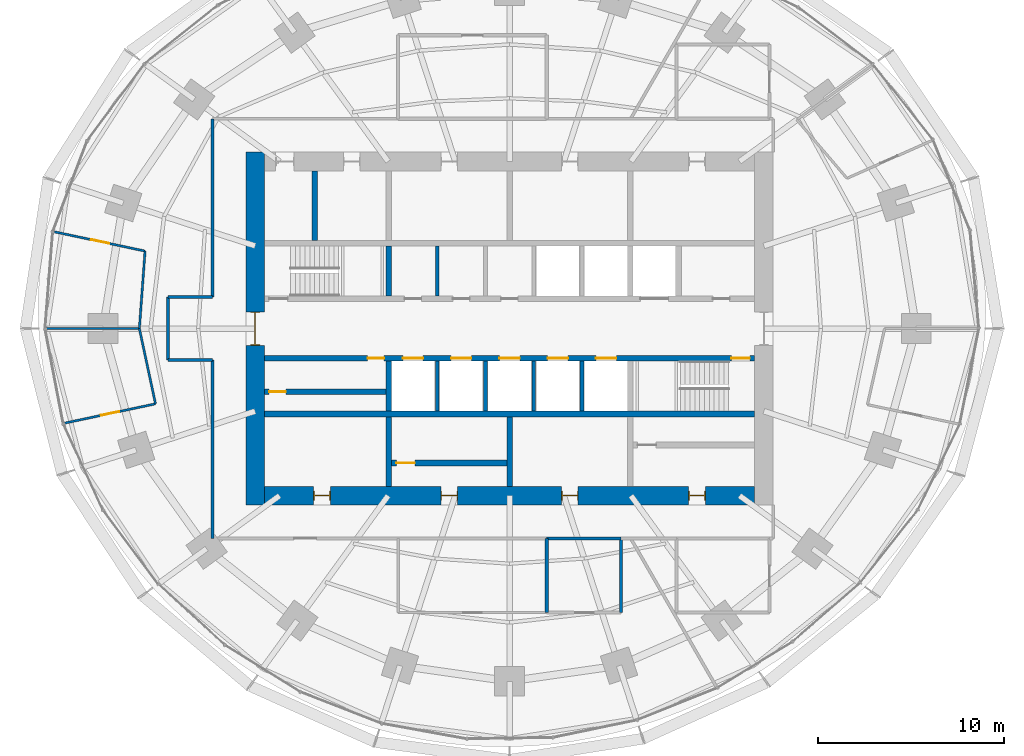
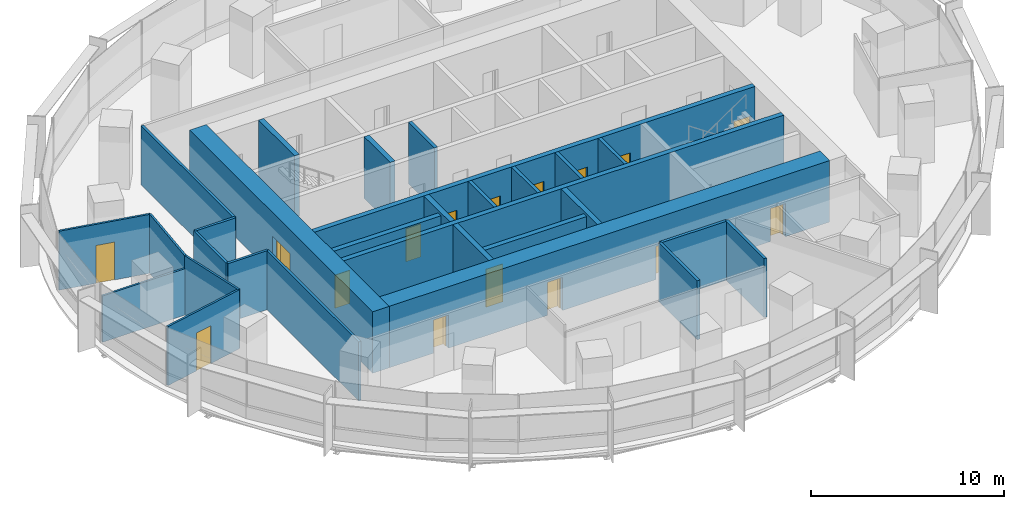
# One storey, part 10 of 14: 29 walls, 16 doors, 16 openings.
"""IFC4 building model written with IfcOpenShell, lengths in metres."""

from ifc_helpers import new_model, si_unit, direction, frame, frame_2d, origin, place, context, subcontext, project, spatial, rectangle, extrude, material, layer, layer_set, type_object, element, fill, save


model = new_model("IFC4")

# Units and contexts
model_context = context("Model", 3, precision=1e-05, world=origin(), true_north=direction((0.0, 1.0)))
body_context = subcontext(model_context, "Body", "Model", "MODEL_VIEW")
ifc_project = project(units=[si_unit("LENGTHUNIT", "METRE"), si_unit("AREAUNIT", "SQUARE_METRE"), si_unit("VOLUMEUNIT", "CUBIC_METRE"), si_unit("PLANEANGLEUNIT", "RADIAN"), si_unit("MASSUNIT", "GRAM", prefix="KILO")], contexts=[model_context])

# Site, building, storey
site_placement = place(None, origin())
site = spatial("IfcSite", under=ifc_project, at=site_placement, CompositionType="ELEMENT")
building_placement = place(site_placement, origin())
building = spatial("IfcBuilding", under=site, at=building_placement, Name="Marramba Exchange Tower", CompositionType="ELEMENT")
storey_placement = place(building_placement, frame((0.0, 0.0, 150.89990234375)))
storey = spatial("IfcBuildingStorey", under=building, at=storey_placement, Name="L36", CompositionType="ELEMENT", Elevation=150.89990234375)

# Walls
ifc_material_1 = material(Name="Plasterboard on staggered double steel studs, acoustic insulation", Category="steel")
ifc_layer_1 = layer(ifc_material_1, 0.169921875)
ifc_layer_set_1 = layer_set([ifc_layer_1], Name="Acoustic partition 170")
wall_type_1 = type_object("IfcWallType", Name="Acoustic partition 170", PredefinedType="PARTITIONING", material=ifc_layer_set_1)
for number, where, z_axis, x_axis, name in (
    (1, (2.0, -11.300048828125, 0.0), (0.0, 0.0, 1.0), (0.0, -1.0, 0.0), "Acoustic partition L36 08"),
    (2, (6.0, -11.300048828125, 0.0), (0.0, 0.0, 1.0), (-1.0, 0.0, 0.0), "Acoustic partition L36 10"),
    (3, (6.0, -15.300048828125, 0.0), (0.0, 0.0, 1.0), (0.0, 1.0, 0.0), "Acoustic partition L36 11"),
):
    element("IfcWall", number, at=place(storey_placement, frame(where, z_axis=z_axis, x_axis=x_axis)), inside=storey, type_object=wall_type_1, Name=name, PredefinedType="PARTITIONING", context=body_context, shape_type="SweptSolid", body=[
        extrude(rectangle(XDim=4.0, YDim=0.169921875, at=frame_2d((2.0, 0.0))), origin(), (0.0, 0.0, 1.0), 3.739990234375),
    ])
ifc_material_2 = material(Name="Concrete N50", Category="concrete")
ifc_layer_2 = layer(ifc_material_2, 0.199951171875)
ifc_layer_set_2 = layer_set([ifc_layer_2], Name="Core shaft wall 200")
wall_type_2 = type_object("IfcWallType", Name="Core shaft wall 200", PredefinedType="SHEAR", material=ifc_layer_set_2)
for number, where, z_axis, x_axis, name in (
    (4, (-3.89990234375, 1.75, 0.0), (0.0, 0.0, 1.0), (0.0, 1.0, 0.0), "Core wall SHN1 L36"),
    (5, (-3.89990234375, -1.75, 0.0), (0.0, 0.0, 1.0), (0.0, -1.0, 0.0), "Core wall SHS1 L36"),
    (6, (-1.300048828125, -1.75, 0.0), (0.0, 0.0, 1.0), (0.0, -1.0, 0.0), "Core wall SHS2 L36"),
    (7, (1.300048828125, -1.75, 0.0), (0.0, 0.0, 1.0), (0.0, -1.0, 0.0), "Core wall SHS3 L36"),
    (8, (3.89990234375, -1.75, 0.0), (0.0, 0.0, 1.0), (0.0, -1.0, 0.0), "Core wall SHS4 L36"),
):
    element("IfcWall", number, at=place(storey_placement, frame(where, z_axis=z_axis, x_axis=x_axis)), inside=storey, type_object=wall_type_2, Name=name, PredefinedType="SHEAR", context=body_context, shape_type="SweptSolid", body=[
        extrude(rectangle(XDim=2.699951171875, YDim=0.199951171875, at=frame_2d((1.35009765625, 0.0))), origin(), (0.0, 0.0, 1.0), 3.900146484375),
    ])

# Wall, openings, doors
ifc_layer_3 = layer(ifc_material_2, 1.0)
ifc_layer_set_3 = layer_set([ifc_layer_3], Name="Core wall 1000")
wall_type_3 = type_object("IfcWallType", Name="Core wall 1000", PredefinedType="SHEAR", material=ifc_layer_set_3)
wall_1_placement = place(storey_placement, frame((-13.199951171875, -9.0, 0.0), z_axis=(0.0, 0.0, 1.0), x_axis=(1.0, 0.0, 0.0)))
wall_1 = element("IfcWall", 9, at=wall_1_placement, inside=storey, type_object=wall_type_3, Name="Core wall S L36", PredefinedType="SHEAR", context=body_context, shape_type="SweptSolid", body=[
    extrude(rectangle(XDim=26.39990234375, YDim=1.0, at=frame_2d((13.199951171875, 0.0))), origin(), (0.0, 0.0, 1.0), 3.900146484375),
])
opening_1_placement = place(wall_1_placement, frame((2.64990234375, 0.0, 0.0)))
opening_1 = element("IfcOpeningElement", 10, at=opening_1_placement, cuts=wall_1, Name="Opening D5", PredefinedType="OPENING", context=body_context, shape_type="SweptSolid", body=[
    extrude(rectangle(XDim=0.89990234375, YDim=2.10009765625, at=frame_2d((0.449951171875, 1.050048828125))), frame((0.0, 0.510009765625, 0.0), z_axis=(0.0, -1.0, 0.0), x_axis=(1.0, 0.0, 0.0)), (0.0, 0.0, 1.0), 1.02001953125),
])
opening_2_placement = place(wall_1_placement, frame((9.5, 0.0, 0.0)))
opening_2 = element("IfcOpeningElement", 11, at=opening_2_placement, cuts=wall_1, Name="Opening D5", PredefinedType="OPENING", context=body_context, shape_type="SweptSolid", body=[
    extrude(rectangle(XDim=0.89990234375, YDim=2.10009765625, at=frame_2d((0.449951171875, 1.050048828125))), frame((0.0, 0.510009765625, 0.0), z_axis=(0.0, -1.0, 0.0), x_axis=(1.0, 0.0, 0.0)), (0.0, 0.0, 1.0), 1.02001953125),
])
opening_3_placement = place(wall_1_placement, frame((16.0, 0.0, 0.0)))
opening_3 = element("IfcOpeningElement", 12, at=opening_3_placement, cuts=wall_1, Name="Opening D5", PredefinedType="OPENING", context=body_context, shape_type="SweptSolid", body=[
    extrude(rectangle(XDim=0.89990234375, YDim=2.10009765625, at=frame_2d((0.449951171875, 1.050048828125))), frame((0.0, 0.510009765625, 0.0), z_axis=(0.0, -1.0, 0.0), x_axis=(1.0, 0.0, 0.0)), (0.0, 0.0, 1.0), 1.02001953125),
])
opening_4_placement = place(wall_1_placement, frame((22.85009765625, 0.0, 0.0)))
opening_4 = element("IfcOpeningElement", 13, at=opening_4_placement, cuts=wall_1, Name="Opening D5", PredefinedType="OPENING", context=body_context, shape_type="SweptSolid", body=[
    extrude(rectangle(XDim=0.89990234375, YDim=2.10009765625, at=frame_2d((0.449951171875, 1.050048828125))), frame((0.0, 0.510009765625, 0.0), z_axis=(0.0, -1.0, 0.0), x_axis=(1.0, 0.0, 0.0)), (0.0, 0.0, 1.0), 1.02001953125),
])
ifc_material_3 = material(Name="Steel-framed door", Category="steel")
door_type_1 = type_object("IfcDoorType", Name="Service door 900x2100", OperationType="SINGLE_SWING_LEFT", PredefinedType="DOOR", material=ifc_material_3)
door_1_placement = place(opening_1_placement, origin())
door_1 = element("IfcDoor", 14, at=door_1_placement, inside=storey, type_object=door_type_1, Name="D5 ahu L36", OperationType="SINGLE_SWING_LEFT", OverallHeight=2.10009765625, OverallWidth=0.89990234375, PredefinedType="DOOR", context=body_context, shape_type="SweptSolid", body=[
    extrude(rectangle(XDim=0.81982421875, YDim=2.06005859375, at=frame_2d((0.449951171875, 1.030029296875))), frame((0.0, 0.02490234375, 0.0), z_axis=(0.0, -1.0, 0.0), x_axis=(1.0, 0.0, 0.0)), (0.0, 0.0, 1.0), 0.050048828125),
    extrude(rectangle(XDim=0.04, YDim=2.10009765625, at=frame_2d((0.02001953125, 1.050048828125))), frame((0.0, 0.25, 0.0), z_axis=(0.0, -1.0, 0.0), x_axis=(1.0, 0.0, 0.0)), (0.0, 0.0, 1.0), 0.5),
    extrude(rectangle(XDim=0.04, YDim=2.10009765625, at=frame_2d((0.8798828125, 1.050048828125))), frame((0.0, 0.25, 0.0), z_axis=(0.0, -1.0, 0.0), x_axis=(1.0, 0.0, 0.0)), (0.0, 0.0, 1.0), 0.5),
    extrude(rectangle(XDim=0.81982421875, YDim=0.04, at=frame_2d((0.449951171875, 2.080078125))), frame((0.0, 0.25, 0.0), z_axis=(0.0, -1.0, 0.0), x_axis=(1.0, 0.0, 0.0)), (0.0, 0.0, 1.0), 0.5),
])
fill(opening_1, door_1)
door_2_placement = place(opening_2_placement, origin())
door_2 = element("IfcDoor", 15, at=door_2_placement, inside=storey, type_object=door_type_1, Name="D5 store L36", OperationType="SINGLE_SWING_RIGHT", OverallHeight=2.10009765625, OverallWidth=0.89990234375, PredefinedType="DOOR", context=body_context, shape_type="SweptSolid", body=[
    extrude(rectangle(XDim=0.81982421875, YDim=2.06005859375, at=frame_2d((0.449951171875, 1.030029296875))), frame((0.0, 0.02490234375, 0.0), z_axis=(0.0, -1.0, 0.0), x_axis=(1.0, 0.0, 0.0)), (0.0, 0.0, 1.0), 0.050048828125),
    extrude(rectangle(XDim=0.04, YDim=2.10009765625, at=frame_2d((0.02001953125, 1.050048828125))), frame((0.0, 0.25, 0.0), z_axis=(0.0, -1.0, 0.0), x_axis=(1.0, 0.0, 0.0)), (0.0, 0.0, 1.0), 0.5),
    extrude(rectangle(XDim=0.04, YDim=2.10009765625, at=frame_2d((0.8798828125, 1.050048828125))), frame((0.0, 0.25, 0.0), z_axis=(0.0, -1.0, 0.0), x_axis=(1.0, 0.0, 0.0)), (0.0, 0.0, 1.0), 0.5),
    extrude(rectangle(XDim=0.81982421875, YDim=0.04, at=frame_2d((0.449951171875, 2.080078125))), frame((0.0, 0.25, 0.0), z_axis=(0.0, -1.0, 0.0), x_axis=(1.0, 0.0, 0.0)), (0.0, 0.0, 1.0), 0.5),
])
fill(opening_2, door_2)
door_3_placement = place(opening_3_placement, origin())
door_3 = element("IfcDoor", 16, at=door_3_placement, inside=storey, type_object=door_type_1, Name="D5 switch L36", OperationType="SINGLE_SWING_RIGHT", OverallHeight=2.10009765625, OverallWidth=0.89990234375, PredefinedType="DOOR", context=body_context, shape_type="SweptSolid", body=[
    extrude(rectangle(XDim=0.81982421875, YDim=2.06005859375, at=frame_2d((0.449951171875, 1.030029296875))), frame((0.0, 0.02490234375, 0.0), z_axis=(0.0, -1.0, 0.0), x_axis=(1.0, 0.0, 0.0)), (0.0, 0.0, 1.0), 0.050048828125),
    extrude(rectangle(XDim=0.04, YDim=2.10009765625, at=frame_2d((0.02001953125, 1.050048828125))), frame((0.0, 0.25, 0.0), z_axis=(0.0, -1.0, 0.0), x_axis=(1.0, 0.0, 0.0)), (0.0, 0.0, 1.0), 0.5),
    extrude(rectangle(XDim=0.04, YDim=2.10009765625, at=frame_2d((0.8798828125, 1.050048828125))), frame((0.0, 0.25, 0.0), z_axis=(0.0, -1.0, 0.0), x_axis=(1.0, 0.0, 0.0)), (0.0, 0.0, 1.0), 0.5),
    extrude(rectangle(XDim=0.81982421875, YDim=0.04, at=frame_2d((0.449951171875, 2.080078125))), frame((0.0, 0.25, 0.0), z_axis=(0.0, -1.0, 0.0), x_axis=(1.0, 0.0, 0.0)), (0.0, 0.0, 1.0), 0.5),
])
fill(opening_3, door_3)
door_4_placement = place(opening_4_placement, origin())
door_4 = element("IfcDoor", 17, at=door_4_placement, inside=storey, type_object=door_type_1, Name="D5 cstore L36", OperationType="SINGLE_SWING_RIGHT", OverallHeight=2.10009765625, OverallWidth=0.89990234375, PredefinedType="DOOR", context=body_context, shape_type="SweptSolid", body=[
    extrude(rectangle(XDim=0.81982421875, YDim=2.06005859375, at=frame_2d((0.449951171875, 1.030029296875))), frame((0.0, 0.02490234375, 0.0), z_axis=(0.0, -1.0, 0.0), x_axis=(1.0, 0.0, 0.0)), (0.0, 0.0, 1.0), 0.050048828125),
    extrude(rectangle(XDim=0.04, YDim=2.10009765625, at=frame_2d((0.02001953125, 1.050048828125))), frame((0.0, 0.25, 0.0), z_axis=(0.0, -1.0, 0.0), x_axis=(1.0, 0.0, 0.0)), (0.0, 0.0, 1.0), 0.5),
    extrude(rectangle(XDim=0.04, YDim=2.10009765625, at=frame_2d((0.8798828125, 1.050048828125))), frame((0.0, 0.25, 0.0), z_axis=(0.0, -1.0, 0.0), x_axis=(1.0, 0.0, 0.0)), (0.0, 0.0, 1.0), 0.5),
    extrude(rectangle(XDim=0.81982421875, YDim=0.04, at=frame_2d((0.449951171875, 2.080078125))), frame((0.0, 0.25, 0.0), z_axis=(0.0, -1.0, 0.0), x_axis=(1.0, 0.0, 0.0)), (0.0, 0.0, 1.0), 0.5),
])
fill(opening_4, door_4)

# Wall, opening, door
wall_2_placement = place(storey_placement, frame((-13.699951171875, 9.5, 0.0), z_axis=(0.0, 0.0, 1.0), x_axis=(0.0, -1.0, 0.0)))
wall_2 = element("IfcWall", 18, at=wall_2_placement, inside=storey, type_object=wall_type_3, Name="Core wall W L36", PredefinedType="SHEAR", context=body_context, shape_type="SweptSolid", body=[
    extrude(rectangle(XDim=19.0, YDim=1.0, at=frame_2d((9.5, 0.0))), origin(), (0.0, 0.0, 1.0), 3.900146484375),
])
opening_5_placement = place(wall_2_placement, frame((8.60009765625, 0.0, 0.0)))
opening_5 = element("IfcOpeningElement", 19, at=opening_5_placement, cuts=wall_2, Name="Opening D1", PredefinedType="OPENING", context=body_context, shape_type="SweptSolid", body=[
    extrude(rectangle(XDim=1.800048828125, YDim=2.39990234375, at=frame_2d((0.89990234375, 1.199951171875))), frame((0.0, 0.510009765625, 0.0), z_axis=(0.0, -1.0, 0.0), x_axis=(1.0, 0.0, 0.0)), (0.0, 0.0, 1.0), 1.02001953125),
])
door_type_2 = type_object("IfcDoorType", Name="Lobby exit door 1800x2400", OperationType="DOUBLE_DOOR_SINGLE_SWING", PredefinedType="DOOR", material=ifc_material_3)
door_5_placement = place(opening_5_placement, origin())
door_5 = element("IfcDoor", 20, at=door_5_placement, inside=storey, type_object=door_type_2, Name="D1 lobby exit west L36", OperationType="DOUBLE_DOOR_SINGLE_SWING", OverallHeight=2.39990234375, OverallWidth=1.800048828125, PredefinedType="DOOR", context=body_context, shape_type="SweptSolid", body=[
    extrude(rectangle(XDim=1.719970703125, YDim=2.35986328125, at=frame_2d((0.89990234375, 1.179931640625))), frame((0.0, 0.02490234375, 0.0), z_axis=(0.0, -1.0, 0.0), x_axis=(1.0, 0.0, 0.0)), (0.0, 0.0, 1.0), 0.050048828125),
    extrude(rectangle(XDim=0.04, YDim=2.39990234375, at=frame_2d((0.02001953125, 1.199951171875))), frame((0.0, 0.25, 0.0), z_axis=(0.0, -1.0, 0.0), x_axis=(1.0, 0.0, 0.0)), (0.0, 0.0, 1.0), 0.5),
    extrude(rectangle(XDim=0.04, YDim=2.39990234375, at=frame_2d((1.780029296875, 1.199951171875))), frame((0.0, 0.25, 0.0), z_axis=(0.0, -1.0, 0.0), x_axis=(1.0, 0.0, 0.0)), (0.0, 0.0, 1.0), 0.5),
    extrude(rectangle(XDim=1.719970703125, YDim=0.04, at=frame_2d((0.89990234375, 2.3798828125))), frame((0.0, 0.25, 0.0), z_axis=(0.0, -1.0, 0.0), x_axis=(1.0, 0.0, 0.0)), (0.0, 0.0, 1.0), 0.5),
])
fill(opening_5, door_5)

# Wall, openings, doors
ifc_layer_4 = layer(ifc_material_2, 0.300048828125)
ifc_layer_set_4 = layer_set([ifc_layer_4], Name="Core wall 300")
wall_type_4 = type_object("IfcWallType", Name="Core wall 300", PredefinedType="SHEAR", material=ifc_layer_set_4)
wall_3_placement = place(storey_placement, frame((-13.199951171875, -1.60009765625, 0.0), z_axis=(0.0, 0.0, 1.0), x_axis=(1.0, 0.0, 0.0)))
wall_3 = element("IfcWall", 21, at=wall_3_placement, inside=storey, type_object=wall_type_4, Name="Core wall LS L36", PredefinedType="SHEAR", context=body_context, shape_type="SweptSolid", body=[
    extrude(rectangle(XDim=26.39990234375, YDim=0.300048828125, at=frame_2d((13.199951171875, 0.0))), origin(), (0.0, 0.0, 1.0), 3.900146484375),
])
opening_6_placement = place(wall_3_placement, frame((25.14990234375, 0.0, 0.0)))
opening_6 = element("IfcOpeningElement", 22, at=opening_6_placement, cuts=wall_3, Name="Opening D2", PredefinedType="OPENING", context=body_context, shape_type="SweptSolid", body=[
    extrude(rectangle(XDim=1.0, YDim=2.10009765625, at=frame_2d((0.5, 1.050048828125))), frame((0.0, 0.159912109375, 0.0), z_axis=(0.0, -1.0, 0.0), x_axis=(1.0, 0.0, 0.0)), (0.0, 0.0, 1.0), 0.320068359375),
])
opening_7_placement = place(wall_3_placement, frame((7.449951171875, 0.0, 0.0)))
opening_7 = element("IfcOpeningElement", 23, at=opening_7_placement, cuts=wall_3, Name="Opening LD1", PredefinedType="OPENING", context=body_context, shape_type="SweptSolid", body=[
    extrude(rectangle(XDim=1.10009765625, YDim=2.300048828125, at=frame_2d((0.550048828125, 1.14990234375))), frame((0.0, 0.159912109375, 0.0), z_axis=(0.0, -1.0, 0.0), x_axis=(1.0, 0.0, 0.0)), (0.0, 0.0, 1.0), 0.320068359375),
])
opening_8_placement = place(wall_3_placement, frame((10.050048828125, 0.0, 0.0)))
opening_8 = element("IfcOpeningElement", 24, at=opening_8_placement, cuts=wall_3, Name="Opening LD1", PredefinedType="OPENING", context=body_context, shape_type="SweptSolid", body=[
    extrude(rectangle(XDim=1.10009765625, YDim=2.300048828125, at=frame_2d((0.550048828125, 1.14990234375))), frame((0.0, 0.159912109375, 0.0), z_axis=(0.0, -1.0, 0.0), x_axis=(1.0, 0.0, 0.0)), (0.0, 0.0, 1.0), 0.320068359375),
])
opening_9_placement = place(wall_3_placement, frame((12.64990234375, 0.0, 0.0)))
opening_9 = element("IfcOpeningElement", 25, at=opening_9_placement, cuts=wall_3, Name="Opening LD1", PredefinedType="OPENING", context=body_context, shape_type="SweptSolid", body=[
    extrude(rectangle(XDim=1.10009765625, YDim=2.300048828125, at=frame_2d((0.550048828125, 1.14990234375))), frame((0.0, 0.159912109375, 0.0), z_axis=(0.0, -1.0, 0.0), x_axis=(1.0, 0.0, 0.0)), (0.0, 0.0, 1.0), 0.320068359375),
])
opening_10_placement = place(wall_3_placement, frame((15.25, 0.0, 0.0)))
opening_10 = element("IfcOpeningElement", 26, at=opening_10_placement, cuts=wall_3, Name="Opening LD2", PredefinedType="OPENING", context=body_context, shape_type="SweptSolid", body=[
    extrude(rectangle(XDim=1.10009765625, YDim=2.300048828125, at=frame_2d((0.550048828125, 1.14990234375))), frame((0.0, 0.159912109375, 0.0), z_axis=(0.0, -1.0, 0.0), x_axis=(1.0, 0.0, 0.0)), (0.0, 0.0, 1.0), 0.320068359375),
])
opening_11_placement = place(wall_3_placement, frame((17.85009765625, 0.0, 0.0)))
opening_11 = element("IfcOpeningElement", 27, at=opening_11_placement, cuts=wall_3, Name="Opening LD2", PredefinedType="OPENING", context=body_context, shape_type="SweptSolid", body=[
    extrude(rectangle(XDim=1.10009765625, YDim=2.300048828125, at=frame_2d((0.550048828125, 1.14990234375))), frame((0.0, 0.159912109375, 0.0), z_axis=(0.0, -1.0, 0.0), x_axis=(1.0, 0.0, 0.0)), (0.0, 0.0, 1.0), 0.320068359375),
])
opening_12_placement = place(wall_3_placement, frame((5.550048828125, 0.0, 0.0)))
opening_12 = element("IfcOpeningElement", 28, at=opening_12_placement, cuts=wall_3, Name="Opening D5", PredefinedType="OPENING", context=body_context, shape_type="SweptSolid", body=[
    extrude(rectangle(XDim=0.89990234375, YDim=2.10009765625, at=frame_2d((0.449951171875, 1.050048828125))), frame((0.0, 0.159912109375, 0.0), z_axis=(0.0, -1.0, 0.0), x_axis=(1.0, 0.0, 0.0)), (0.0, 0.0, 1.0), 0.320068359375),
])
door_type_3 = type_object("IfcDoorType", Name="Emergency lift landing door 1100x2300", OperationType="SLIDING_TO_LEFT", PredefinedType="DOOR", material=ifc_material_3)
door_6_placement = place(opening_10_placement, frame((1.10009765625, 0.0, 0.0), z_axis=(0.0, 0.0, 1.0), x_axis=(-1.0, 0.0, 0.0)))
door_6 = element("IfcDoor", 29, at=door_6_placement, inside=storey, type_object=door_type_3, Name="FL1 landing door L36", OperationType="SLIDING_TO_RIGHT", OverallHeight=2.300048828125, OverallWidth=1.10009765625, PredefinedType="DOOR", context=body_context, shape_type="SweptSolid", body=[
    extrude(rectangle(XDim=1.10009765625, YDim=2.300048828125, at=frame_2d((0.550048828125, 1.14990234375))), frame((0.0, 0.025146484375, 0.0), z_axis=(0.0, -1.0, 0.0), x_axis=(1.0, 0.0, 0.0)), (0.0, 0.0, 1.0), 0.050048828125),
])
fill(opening_10, door_6)
door_7_placement = place(opening_11_placement, frame((1.10009765625, 0.0, 0.0), z_axis=(0.0, 0.0, 1.0), x_axis=(-1.0, 0.0, 0.0)))
door_7 = element("IfcDoor", 30, at=door_7_placement, inside=storey, type_object=door_type_3, Name="FL2 landing door L36", OperationType="SLIDING_TO_LEFT", OverallHeight=2.300048828125, OverallWidth=1.10009765625, PredefinedType="DOOR", context=body_context, shape_type="SweptSolid", body=[
    extrude(rectangle(XDim=1.10009765625, YDim=2.300048828125, at=frame_2d((0.550048828125, 1.14990234375))), frame((0.0, 0.025146484375, 0.0), z_axis=(0.0, -1.0, 0.0), x_axis=(1.0, 0.0, 0.0)), (0.0, 0.0, 1.0), 0.050048828125),
])
fill(opening_11, door_7)
door_type_4 = type_object("IfcDoorType", Name="Lift landing door 1100x2300", OperationType="SLIDING_TO_LEFT", PredefinedType="DOOR", material=ifc_material_3)
door_8_placement = place(opening_7_placement, frame((1.10009765625, 0.0, 0.0), z_axis=(0.0, 0.0, 1.0), x_axis=(-1.0, 0.0, 0.0)))
door_8 = element("IfcDoor", 31, at=door_8_placement, inside=storey, type_object=door_type_4, Name="LB1 landing door L36", OperationType="SLIDING_TO_LEFT", OverallHeight=2.300048828125, OverallWidth=1.10009765625, PredefinedType="DOOR", context=body_context, shape_type="SweptSolid", body=[
    extrude(rectangle(XDim=1.10009765625, YDim=2.300048828125, at=frame_2d((0.550048828125, 1.14990234375))), frame((0.0, 0.025146484375, 0.0), z_axis=(0.0, -1.0, 0.0), x_axis=(1.0, 0.0, 0.0)), (0.0, 0.0, 1.0), 0.050048828125),
])
fill(opening_7, door_8)
door_9_placement = place(opening_8_placement, frame((1.10009765625, 0.0, 0.0), z_axis=(0.0, 0.0, 1.0), x_axis=(-1.0, 0.0, 0.0)))
door_9 = element("IfcDoor", 32, at=door_9_placement, inside=storey, type_object=door_type_4, Name="LB2 landing door L36", OperationType="SLIDING_TO_RIGHT", OverallHeight=2.300048828125, OverallWidth=1.10009765625, PredefinedType="DOOR", context=body_context, shape_type="SweptSolid", body=[
    extrude(rectangle(XDim=1.10009765625, YDim=2.300048828125, at=frame_2d((0.550048828125, 1.14990234375))), frame((0.0, 0.025146484375, 0.0), z_axis=(0.0, -1.0, 0.0), x_axis=(1.0, 0.0, 0.0)), (0.0, 0.0, 1.0), 0.050048828125),
])
fill(opening_8, door_9)
door_10_placement = place(opening_9_placement, frame((1.10009765625, 0.0, 0.0), z_axis=(0.0, 0.0, 1.0), x_axis=(-1.0, 0.0, 0.0)))
door_10 = element("IfcDoor", 33, at=door_10_placement, inside=storey, type_object=door_type_4, Name="LB3 landing door L36", OperationType="SLIDING_TO_RIGHT", OverallHeight=2.300048828125, OverallWidth=1.10009765625, PredefinedType="DOOR", context=body_context, shape_type="SweptSolid", body=[
    extrude(rectangle(XDim=1.10009765625, YDim=2.300048828125, at=frame_2d((0.550048828125, 1.14990234375))), frame((0.0, 0.025146484375, 0.0), z_axis=(0.0, -1.0, 0.0), x_axis=(1.0, 0.0, 0.0)), (0.0, 0.0, 1.0), 0.050048828125),
])
fill(opening_9, door_10)
door_11_placement = place(opening_12_placement, frame((0.89990234375, 0.0, 0.0), z_axis=(0.0, 0.0, 1.0), x_axis=(-1.0, 0.0, 0.0)))
door_11 = element("IfcDoor", 34, at=door_11_placement, inside=storey, type_object=door_type_1, Name="D5 electrical riser L36", OperationType="SINGLE_SWING_LEFT", OverallHeight=2.10009765625, OverallWidth=0.89990234375, PredefinedType="DOOR", context=body_context, shape_type="SweptSolid", body=[
    extrude(rectangle(XDim=0.89990234375, YDim=2.10009765625, at=frame_2d((0.449951171875, 1.050048828125))), frame((0.0, 0.025146484375, 0.0), z_axis=(0.0, -1.0, 0.0), x_axis=(1.0, 0.0, 0.0)), (0.0, 0.0, 1.0), 0.050048828125),
])
fill(opening_12, door_11)
door_type_5 = type_object("IfcDoorType", Name="Stair door 1000x2100", OperationType="SINGLE_SWING_LEFT", PredefinedType="DOOR", material=ifc_material_3)
door_12_placement = place(opening_6_placement, frame((1.0, 0.0, 0.0), z_axis=(0.0, 0.0, 1.0), x_axis=(-1.0, 0.0, 0.0)))
door_12 = element("IfcDoor", 35, at=door_12_placement, inside=storey, type_object=door_type_5, Name="D2 stair ST2 L36", OperationType="SINGLE_SWING_LEFT", OverallHeight=2.10009765625, OverallWidth=1.0, PredefinedType="DOOR", context=body_context, shape_type="SweptSolid", body=[
    extrude(rectangle(XDim=1.0, YDim=2.10009765625, at=frame_2d((0.5, 1.050048828125))), frame((0.0, 0.025146484375, 0.0), z_axis=(0.0, -1.0, 0.0), x_axis=(1.0, 0.0, 0.0)), (0.0, 0.0, 1.0), 0.050048828125),
])
fill(opening_6, door_12)

# Walls
wall_4_placement = place(storey_placement, frame((-13.199951171875, -4.60009765625, 0.0), z_axis=(0.0, 0.0, 1.0), x_axis=(1.0, 0.0, 0.0)))
element("IfcWall", 36, at=wall_4_placement, inside=storey, type_object=wall_type_4, Name="Core wall BS L36", PredefinedType="SHEAR", context=body_context, shape_type="SweptSolid", body=[
    extrude(rectangle(XDim=26.39990234375, YDim=0.300048828125, at=frame_2d((13.199951171875, 0.0))), origin(), (0.0, 0.0, 1.0), 3.900146484375),
])
for number, where, z_axis, x_axis, name in (
    (37, (-6.5, 1.75, 0.0), (0.0, 0.0, 1.0), (0.0, 1.0, 0.0), "Core wall X0Na L36"),
    (38, (-6.5, -1.75, 0.0), (0.0, 0.0, 1.0), (0.0, -1.0, 0.0), "Core wall X0Sa L36"),
):
    element("IfcWall", number, at=place(storey_placement, frame(where, z_axis=z_axis, x_axis=x_axis)), inside=storey, type_object=wall_type_4, Name=name, PredefinedType="SHEAR", context=body_context, shape_type="SweptSolid", body=[
        extrude(rectangle(XDim=2.699951171875, YDim=0.300048828125, at=frame_2d((1.35009765625, 0.0))), origin(), (0.0, 0.0, 1.0), 3.900146484375),
    ])
for number, where, z_axis, x_axis, name in (
    (39, (-6.5, -4.75, 0.0), (0.0, 0.0, 1.0), (0.0, -1.0, 0.0), "Core wall X0Sb L36"),
    (40, (0.0, -4.75, 0.0), (0.0, 0.0, 1.0), (0.0, -1.0, 0.0), "Core wall MS L36"),
    (41, (-10.5, 4.75, 0.0), (0.0, 0.0, 1.0), (0.0, 1.0, 0.0), "Core wall WD L36"),
):
    element("IfcWall", number, at=place(storey_placement, frame(where, z_axis=z_axis, x_axis=x_axis)), inside=storey, type_object=wall_type_4, Name=name, PredefinedType="SHEAR", context=body_context, shape_type="SweptSolid", body=[
        extrude(rectangle(XDim=3.75, YDim=0.300048828125, at=frame_2d((1.875, 0.0))), origin(), (0.0, 0.0, 1.0), 3.900146484375),
    ])
ifc_material_4 = material(Name="Plasterboard on steel studs", Category="steel")
ifc_layer_5 = layer(ifc_material_4, 0.1201171875)
ifc_layer_set_5 = layer_set([ifc_layer_5], Name="Partition 120")
wall_type_5 = type_object("IfcWallType", Name="Partition 120", PredefinedType="PARTITIONING", material=ifc_layer_set_5)
wall_5_placement = place(storey_placement, frame((-19.069580078125, -4.053466796875, 0.0), z_axis=(0.0, 0.0, 1.0), x_axis=(-0.209484846429, 0.977811893524, 0.0)))
element("IfcWall", 42, at=wall_5_placement, inside=storey, type_object=wall_type_5, Name="Partition L36 02", PredefinedType="PARTITIONING", context=body_context, shape_type="SweptSolid", body=[
    extrude(rectangle(XDim=4.1455078125, YDim=0.1201171875, at=frame_2d((2.07275390625, 0.0))), origin(), (0.0, 0.0, 1.0), 3.739990234375),
])

# Wall, opening, door
wall_6_placement = place(storey_placement, frame((-23.96044921875, -5.093017578125, 0.0), z_axis=(0.0, 0.0, 1.0), x_axis=(0.978149046495, 0.207904888932, 0.0)))
wall_6 = element("IfcWall", 43, at=wall_6_placement, inside=storey, type_object=wall_type_5, Name="Partition L36 03", PredefinedType="PARTITIONING", context=body_context, shape_type="SweptSolid", body=[
    extrude(rectangle(XDim=5.000244140625, YDim=0.1201171875, at=frame_2d((2.5, 0.0))), origin(), (0.0, 0.0, 1.0), 3.739990234375),
])
opening_13_placement = place(wall_6_placement, frame((2.0, 0.0, 0.0)))
opening_13 = element("IfcOpeningElement", 44, at=opening_13_placement, cuts=wall_6, Name="Opening D9", PredefinedType="OPENING", context=body_context, shape_type="SweptSolid", body=[
    extrude(rectangle(XDim=1.0, YDim=2.39990234375, at=frame_2d((0.5, 1.199951171875))), frame((0.0, 0.070068359375, 0.0), z_axis=(0.0, -1.0, 0.0), x_axis=(1.0, 0.0, 0.0)), (0.0, 0.0, 1.0), 0.14013671875),
])
ifc_material_5 = material(Name="Timber door", Category="wood")
door_type_6 = type_object("IfcDoorType", Name="Room door 1000x2400", OperationType="SINGLE_SWING_LEFT", PredefinedType="DOOR", material=ifc_material_5)
door_13_placement = place(opening_13_placement, origin())
door_13 = element("IfcDoor", 45, at=door_13_placement, inside=storey, type_object=door_type_6, Name="D9 Office 4 L36", OperationType="SINGLE_SWING_RIGHT", OverallHeight=2.39990234375, OverallWidth=1.0, PredefinedType="DOOR", context=body_context, shape_type="SweptSolid", body=[
    extrude(rectangle(XDim=1.0, YDim=2.39990234375, at=frame_2d((0.5, 1.199951171875))), frame((0.0, 0.02490234375, 0.0), z_axis=(0.0, -1.0, 0.0), x_axis=(1.0, 0.0, 0.0)), (0.0, 0.0, 1.0), 0.050048828125),
])
fill(opening_13, door_13)

wall_7_placement = place(storey_placement, frame((-19.632080078125, 4.173095703125, 0.0), z_axis=(0.0, 0.0, 1.0), x_axis=(-0.978158975012, 0.207858171848, 0.0)))
wall_7 = element("IfcWall", 46, at=wall_7_placement, inside=storey, type_object=wall_type_5, Name="Partition L36 40", PredefinedType="PARTITIONING", context=body_context, shape_type="SweptSolid", body=[
    extrude(rectangle(XDim=5.0, YDim=0.1201171875, at=frame_2d((2.5, 0.0))), origin(), (0.0, 0.0, 1.0), 3.739990234375),
])
opening_14_placement = place(wall_7_placement, frame((1.97509765625, 0.0, 0.0)))
opening_14 = element("IfcOpeningElement", 47, at=opening_14_placement, cuts=wall_7, Name="Opening D9", PredefinedType="OPENING", context=body_context, shape_type="SweptSolid", body=[
    extrude(rectangle(XDim=1.0, YDim=2.39990234375, at=frame_2d((0.5, 1.199951171875))), frame((0.0, 0.070068359375, 0.0), z_axis=(0.0, -1.0, 0.0), x_axis=(1.0, 0.0, 0.0)), (0.0, 0.0, 1.0), 0.14013671875),
])
door_14_placement = place(opening_14_placement, origin())
door_14 = element("IfcDoor", 48, at=door_14_placement, inside=storey, type_object=door_type_6, Name="D9 Office 3 L36", OperationType="SINGLE_SWING_RIGHT", OverallHeight=2.39990234375, OverallWidth=1.0, PredefinedType="DOOR", context=body_context, shape_type="SweptSolid", body=[
    extrude(rectangle(XDim=1.0, YDim=2.39990234375, at=frame_2d((0.5, 1.199951171875))), frame((0.0, 0.02490234375, 0.0), z_axis=(0.0, -1.0, 0.0), x_axis=(1.0, 0.0, 0.0)), (0.0, 0.0, 1.0), 0.050048828125),
])
fill(opening_14, door_14)

# Walls
wall_8_placement = place(storey_placement, frame((-19.93798828125, 0.0, 0.0), z_axis=(0.0, 0.0, 1.0), x_axis=(0.07310869627, 0.99732397872, 0.0)))
element("IfcWall", 49, at=wall_8_placement, inside=storey, type_object=wall_type_5, Name="Partition L36 41", PredefinedType="PARTITIONING", context=body_context, shape_type="SweptSolid", body=[
    extrude(rectangle(XDim=4.184326171875, YDim=0.1201171875, at=frame_2d((2.09228515625, 0.0))), origin(), (0.0, 0.0, 1.0), 3.739990234375),
])
wall_9_placement = place(storey_placement, frame((-19.93798828125, 0.0, 0.0), z_axis=(0.0, 0.0, 1.0), x_axis=(-1.0, 0.0, 0.0)))
element("IfcWall", 50, at=wall_9_placement, inside=storey, type_object=wall_type_5, Name="Partition L36 43", PredefinedType="PARTITIONING", context=body_context, shape_type="SweptSolid", body=[
    extrude(rectangle(XDim=5.0, YDim=0.1201171875, at=frame_2d((2.5, 0.0))), origin(), (0.0, 0.0, 1.0), 2.940185546875),
])

# Wall, opening, door
ifc_material_6 = material(Name="Core-filled concrete blockwork", Category="masonry")
ifc_layer_6 = layer(ifc_material_6, 0.300048828125)
ifc_layer_set_6 = layer_set([ifc_layer_6], Name="Riser enclosure wall 300")
wall_type_6 = type_object("IfcWallType", Name="Riser enclosure wall 300", PredefinedType="SOLIDWALL", material=ifc_layer_set_6)
wall_10_placement = place(storey_placement, frame((-13.199951171875, -3.39990234375, 0.0), z_axis=(0.0, 0.0, 1.0), x_axis=(1.0, 0.0, 0.0)))
wall_10 = element("IfcWall", 51, at=wall_10_placement, inside=storey, type_object=wall_type_6, Name="Riser enclosure wall L36", PredefinedType="SOLIDWALL", context=body_context, shape_type="SweptSolid", body=[
    extrude(rectangle(XDim=6.550048828125, YDim=0.300048828125, at=frame_2d((3.27490234375, 0.0))), origin(), (0.0, 0.0, 1.0), 3.739990234375),
])
opening_15_placement = place(wall_10_placement, frame((0.25, 0.0, 0.0)))
opening_15 = element("IfcOpeningElement", 52, at=opening_15_placement, cuts=wall_10, Name="Opening D5", PredefinedType="OPENING", context=body_context, shape_type="SweptSolid", body=[
    extrude(rectangle(XDim=0.89990234375, YDim=2.10009765625, at=frame_2d((0.449951171875, 1.050048828125))), frame((0.0, 0.159912109375, 0.0), z_axis=(0.0, -1.0, 0.0), x_axis=(1.0, 0.0, 0.0)), (0.0, 0.0, 1.0), 0.320068359375),
])
door_15_placement = place(opening_15_placement, frame((0.89990234375, 0.0, 0.0), z_axis=(0.0, 0.0, 1.0), x_axis=(-1.0, 0.0, 0.0)))
door_15 = element("IfcDoor", 53, at=door_15_placement, inside=storey, type_object=door_type_1, Name="D5 electrical riser back L36", OperationType="SINGLE_SWING_RIGHT", OverallHeight=2.10009765625, OverallWidth=0.89990234375, PredefinedType="DOOR", context=body_context, shape_type="SweptSolid", body=[
    extrude(rectangle(XDim=0.89990234375, YDim=2.10009765625, at=frame_2d((0.449951171875, 1.050048828125))), frame((0.0, 0.025146484375, 0.0), z_axis=(0.0, -1.0, 0.0), x_axis=(1.0, 0.0, 0.0)), (0.0, 0.0, 1.0), 0.050048828125),
])
fill(opening_15, door_15)

ifc_material_7 = material(Name="Plasterboard on steel studs, insulated, unrated", Category="steel")
ifc_layer_7 = layer(ifc_material_7, 0.300048828125)
ifc_layer_set_7 = layer_set([ifc_layer_7], Name="Store partition 300")
wall_type_7 = type_object("IfcWallType", Name="Store partition 300", PredefinedType="PARTITIONING", material=ifc_layer_set_7)
wall_11_placement = place(storey_placement, frame((-6.35009765625, -7.239990234375, 0.0), z_axis=(0.0, 0.0, 1.0), x_axis=(1.0, 0.0, 0.0)))
wall_11 = element("IfcWall", 54, at=wall_11_placement, inside=storey, type_object=wall_type_7, Name="Store partition L36 store", PredefinedType="PARTITIONING", context=body_context, shape_type="SweptSolid", body=[
    extrude(rectangle(XDim=6.2001953125, YDim=0.300048828125, at=frame_2d((3.10009765625, 0.0))), origin(), (0.0, 0.0, 1.0), 3.739990234375),
])
opening_16_placement = place(wall_11_placement, frame((0.25, 0.0, 0.0)))
opening_16 = element("IfcOpeningElement", 55, at=opening_16_placement, cuts=wall_11, Name="Opening D9", PredefinedType="OPENING", context=body_context, shape_type="SweptSolid", body=[
    extrude(rectangle(XDim=1.0, YDim=2.39990234375, at=frame_2d((0.5, 1.199951171875))), frame((0.0, 0.159912109375, 0.0), z_axis=(0.0, -1.0, 0.0), x_axis=(1.0, 0.0, 0.0)), (0.0, 0.0, 1.0), 0.320068359375),
])
door_16_placement = place(opening_16_placement, frame((1.0, 0.0, 0.0), z_axis=(0.0, 0.0, 1.0), x_axis=(-1.0, 0.0, 0.0)))
door_16 = element("IfcDoor", 56, at=door_16_placement, inside=storey, type_object=door_type_6, Name="D9 stationery store L36", OperationType="SINGLE_SWING_RIGHT", OverallHeight=2.39990234375, OverallWidth=1.0, PredefinedType="DOOR", context=body_context, shape_type="SweptSolid", body=[
    extrude(rectangle(XDim=1.0, YDim=2.39990234375, at=frame_2d((0.5, 1.199951171875))), frame((0.0, 0.025146484375, 0.0), z_axis=(0.0, -1.0, 0.0), x_axis=(1.0, 0.0, 0.0)), (0.0, 0.0, 1.0), 0.050048828125),
])
fill(opening_16, door_16)

# Walls
ifc_material_8 = material(Name="Fire-rated plasterboard on steel studs, acoustic insulation", Category="steel")
ifc_layer_8 = layer(ifc_material_8, 0.14990234375)
ifc_layer_set_8 = layer_set([ifc_layer_8], Name="Tenancy wall 150")
wall_type_8 = type_object("IfcWallType", Name="Tenancy wall 150", PredefinedType="PARTITIONING", material=ifc_layer_set_8)
wall_12_placement = place(storey_placement, frame((-18.39990234375, -1.699951171875, 0.0), z_axis=(0.0, 0.0, 1.0), x_axis=(1.0, 0.0, 0.0)))
element("IfcWall", 57, at=wall_12_placement, inside=storey, type_object=wall_type_8, Name="Tenancy wall L36 01", PredefinedType="PARTITIONING", context=body_context, shape_type="SweptSolid", body=[
    extrude(rectangle(XDim=2.39990234375, YDim=0.14990234375, at=frame_2d((1.199951171875, 0.0))), origin(), (0.0, 0.0, 1.0), 3.739990234375),
])
for number, where, z_axis, x_axis, name in (
    (58, (-16.0, -1.699951171875, 0.0), (0.0, 0.0, 1.0), (0.0, -1.0, 0.0), "Tenancy wall L36 04"),
    (59, (-16.0, 11.300048828125, 0.0), (0.0, 0.0, 1.0), (0.0, -1.0, 0.0), "Tenancy wall L36 39"),
):
    element("IfcWall", number, at=place(storey_placement, frame(where, z_axis=z_axis, x_axis=x_axis)), inside=storey, type_object=wall_type_8, Name=name, PredefinedType="PARTITIONING", context=body_context, shape_type="SweptSolid", body=[
        extrude(rectangle(XDim=9.60009765625, YDim=0.14990234375, at=frame_2d((4.800048828125, 0.0))), origin(), (0.0, 0.0, 1.0), 3.739990234375),
    ])
wall_13_placement = place(storey_placement, frame((-16.0, 1.699951171875, 0.0), z_axis=(0.0, 0.0, 1.0), x_axis=(-1.0, 0.0, 0.0)))
element("IfcWall", 60, at=wall_13_placement, inside=storey, type_object=wall_type_8, Name="Tenancy wall L36 42", PredefinedType="PARTITIONING", context=body_context, shape_type="SweptSolid", body=[
    extrude(rectangle(XDim=2.39990234375, YDim=0.14990234375, at=frame_2d((1.199951171875, 0.0))), origin(), (0.0, 0.0, 1.0), 3.739990234375),
])
wall_14_placement = place(storey_placement, frame((-18.39990234375, 1.699951171875, 0.0), z_axis=(0.0, 0.0, 1.0), x_axis=(0.0, -1.0, 0.0)))
element("IfcWall", 61, at=wall_14_placement, inside=storey, type_object=wall_type_8, Name="Tenancy wall L36 44", PredefinedType="PARTITIONING", context=body_context, shape_type="SweptSolid", body=[
    extrude(rectangle(XDim=3.39990234375, YDim=0.14990234375, at=frame_2d((1.699951171875, 0.0))), origin(), (0.0, 0.0, 1.0), 3.739990234375),
])

save(model, "model.ifc")
